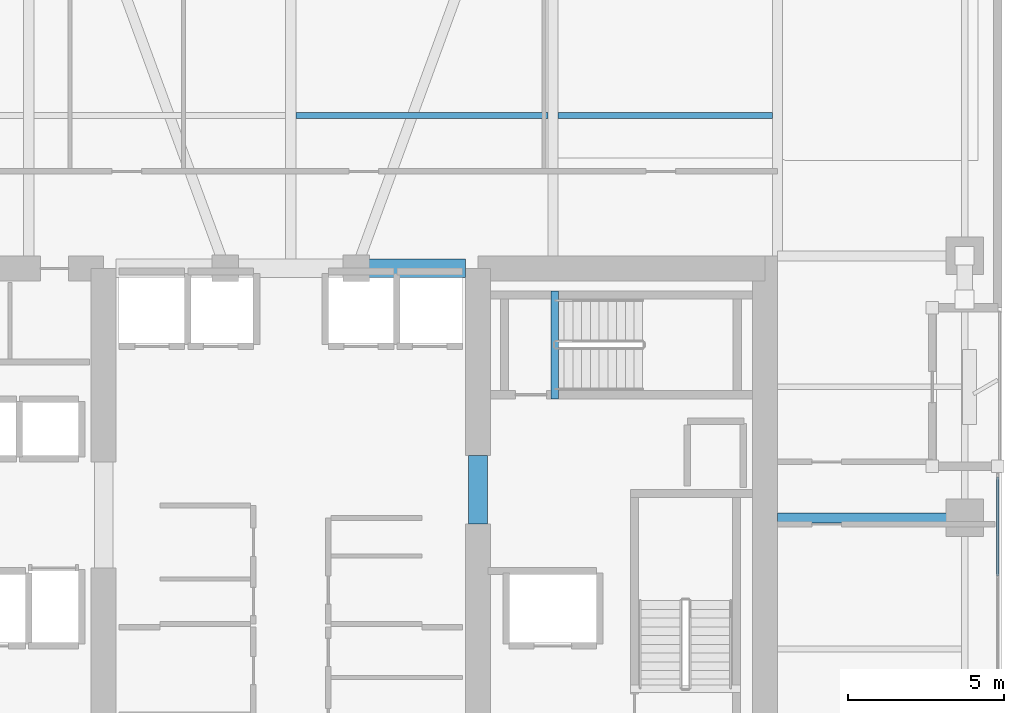
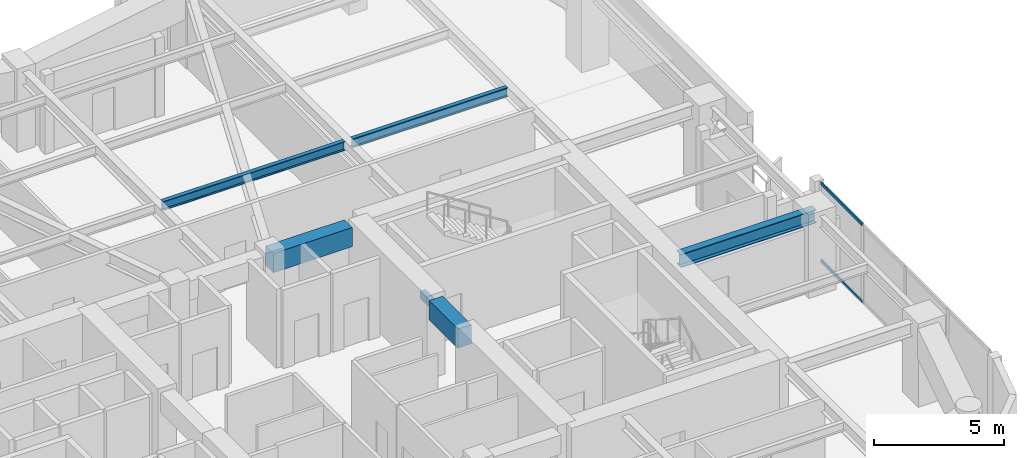
# One storey, part 10 of 30: 6 beams, 2 members, 1 element without a shape of its own.
"""IFC4 building model written with IfcOpenShell, lengths in metres."""

from ifc_helpers import new_model, si_unit, direction, frame, origin, origin_2d, place, context, subcontext, project, spatial, rectangle, hollow_rectangle, i_section, extrude, material, layer, layer_set, material_profile, profile_set, type_object, element, aggregate, save


model = new_model("IFC4")

# Units and contexts
model_context = context("Model", 3, precision=1e-05, world=origin(), true_north=direction((0.0, 1.0)))
body_context = subcontext(model_context, "Body", "Model", "MODEL_VIEW")
ifc_project = project(units=[si_unit("LENGTHUNIT", "METRE"), si_unit("AREAUNIT", "SQUARE_METRE"), si_unit("VOLUMEUNIT", "CUBIC_METRE"), si_unit("PLANEANGLEUNIT", "RADIAN"), si_unit("MASSUNIT", "GRAM", prefix="KILO")], contexts=[model_context])

# Site, building, storey
site_placement = place(None, origin())
site = spatial("IfcSite", under=ifc_project, at=site_placement, CompositionType="ELEMENT")
building_placement = place(site_placement, origin())
building = spatial("IfcBuilding", under=site, at=building_placement, Name="Kiyonajd Concourse Tower", CompositionType="ELEMENT")
storey_placement = place(building_placement, frame((0.0, 0.0, 162.300048828125)))
storey = spatial("IfcBuildingStorey", under=building, at=storey_placement, Name="L41", CompositionType="ELEMENT", Elevation=162.300048828125)

# Beams
ifc_material_1 = material(Name="Concrete C60/75", Category="concrete")
ifc_material_profile_1 = material_profile(ifc_material_1, rectangle(XDim=0.60009765625, YDim=0.89990234375, at=origin_2d()), Name="RCBM-600x900")
ifc_profile_set_1 = profile_set([ifc_material_profile_1], Name="Concrete C60/75")
beam_type_1 = type_object("IfcBeamType", Name="BM-COUP-900", PredefinedType="LINTEL", material=ifc_profile_set_1)
beam_1_placement = place(storey_placement, frame((50.10009765625, 44.0, 3.22998046875), z_axis=(1.0, 0.0, 0.0), x_axis=(0.0, 1.0, 0.0)))
element("IfcBeam", 1, at=beam_1_placement, inside=storey, type_object=beam_type_1, Name="L41 Core Coupling Beam N3", PredefinedType="LINTEL", context=body_context, shape_type="SweptSolid", body=[
    extrude(rectangle(XDim=0.60009765625, YDim=0.89990234375, at=origin_2d()), origin(), (0.0, 0.0, 1.0), 3.5),
])
beam_2_placement = place(storey_placement, frame((54.0, 35.800048828125, 3.22998046875), z_axis=(0.0, 1.0, 0.0), x_axis=(-1.0, 0.0, 0.0)))
element("IfcBeam", 2, at=beam_2_placement, inside=storey, type_object=beam_type_1, Name="L41 East Core Throat Coupling Lintel", PredefinedType="LINTEL", context=body_context, shape_type="SweptSolid", body=[
    extrude(rectangle(XDim=0.60009765625, YDim=0.89990234375, at=origin_2d()), origin(), (0.0, 0.0, 1.0), 2.199951171875),
])
ifc_material_2 = material(Name="Steel ASTM A992 Grade 50", Category="steel")
ifc_material_profile_2 = material_profile(ifc_material_2, i_section(OverallWidth=0.180908203125, OverallDepth=0.4169921875, WebThickness=0.010986328125, FlangeThickness=0.018310546875, at=origin_2d()), Name="W410X85")
ifc_profile_set_2 = profile_set([ifc_material_profile_2], Name="Steel ASTM A992 Grade 50")
beam_type_2 = type_object("IfcBeamType", Name="BM-JST-410", PredefinedType="JOIST", material=ifc_profile_set_2)
beam_3_placement = place(storey_placement, frame((48.16357421875, 48.89990234375, 3.471435546875), z_axis=(1.0, 0.0, 0.0), x_axis=(0.0, 1.0, 0.0)))
element("IfcBeam", 3, at=beam_3_placement, inside=storey, type_object=beam_type_2, Name="L41 Secondary Floor Joist", PredefinedType="JOIST", context=body_context, shape_type="SweptSolid", body=[
    extrude(i_section(OverallWidth=0.180908203125, OverallDepth=0.4169921875, WebThickness=0.010986328125, FlangeThickness=0.018310546875, at=origin_2d()), origin(), (0.0, 0.0, 1.0), 8.072998046875),
])
beam_4_placement = place(storey_placement, frame((56.5634765625, 48.89990234375, 3.471435546875), z_axis=(1.0, 0.0, 0.0), x_axis=(0.0, 1.0, 0.0)))
element("IfcBeam", 4, at=beam_4_placement, inside=storey, type_object=beam_type_2, Name="L41 Secondary Floor Joist", PredefinedType="JOIST", context=body_context, shape_type="SweptSolid", body=[
    extrude(i_section(OverallWidth=0.180908203125, OverallDepth=0.4169921875, WebThickness=0.010986328125, FlangeThickness=0.018310546875, at=origin_2d()), origin(), (0.0, 0.0, 1.0), 6.873046875),
])
ifc_material_3 = material(Name="Concrete C50/60", Category="concrete")
ifc_material_profile_3 = material_profile(ifc_material_3, rectangle(XDim=0.239990234375, YDim=0.320068359375, at=origin_2d()), Name="RCBM-240x320")
ifc_profile_set_3 = profile_set([ifc_material_profile_3], Name="Concrete C50/60")
beam_type_3 = type_object("IfcBeamType", Name="BM-LNT-250", PredefinedType="LINTEL", material=ifc_profile_set_3)
beam_5_placement = place(storey_placement, frame((56.4599609375, 39.820068359375, -0.16015625), z_axis=(0.0, 1.0, 0.0), x_axis=(-1.0, 0.0, 0.0)))
element("IfcBeam", 5, at=beam_5_placement, inside=storey, type_object=beam_type_3, Name="L41 Stair ST3 Threshold Support Beam", PredefinedType="LINTEL", context=body_context, shape_type="SweptSolid", body=[
    extrude(rectangle(XDim=0.239990234375, YDim=0.320068359375, at=origin_2d()), origin(), (0.0, 0.0, 1.0), 3.4599609375),
])
ifc_material_profile_4 = material_profile(ifc_material_2, i_section(OverallWidth=0.326904296875, OverallDepth=0.6220703125, WebThickness=0.015380859375, FlangeThickness=0.0244140625, at=origin_2d()), Name="W610X195")
ifc_profile_set_4 = profile_set([ifc_material_profile_4], Name="Steel ASTM A992 Grade 50")
beam_type_4 = type_object("IfcBeamType", Name="BM-TWR-610A", PredefinedType="BEAM", material=ifc_profile_set_4)
beam_6_placement = place(storey_placement, frame((63.60009765625, 36.0, 3.368896484375), z_axis=(1.0, 0.0, 0.0), x_axis=(0.0, 1.0, 0.0)))
element("IfcBeam", 6, at=beam_6_placement, inside=storey, type_object=beam_type_4, Name="L41 East Lease Girder", PredefinedType="BEAM", context=body_context, shape_type="SweptSolid", body=[
    extrude(i_section(OverallWidth=0.326904296875, OverallDepth=0.6220703125, WebThickness=0.015380859375, FlangeThickness=0.0244140625, at=origin_2d()), origin(), (0.0, 0.0, 1.0), 6.0),
])

# Curtain wall, members
ifc_material_4 = material(Name="Thermally Broken Anodised Aluminium", Category="aluminium")
ifc_layer = layer(ifc_material_4, 0.179931640625)
ifc_layer_set = layer_set([ifc_layer], Name="Thermally Broken Anodised Aluminium")
curtain_wall_type = type_object("IfcCurtainWallType", Name="CW-SYS-03", PredefinedType="NOTDEFINED", material=ifc_layer_set)
curtain_wall_placement = place(storey_placement, origin())
curtain_wall = element("IfcCurtainWall", 7, at=curtain_wall_placement, inside=storey, type_object=curtain_wall_type, Name="L41 Unitised Curtain Wall CW3", PredefinedType="NOTDEFINED")
ifc_material_profile_5 = material_profile(ifc_material_4, hollow_rectangle(XDim=0.06494140625, YDim=0.139892578125, WallThickness=0.00390625, at=origin_2d()), Name="TRAN-65x140")
ifc_profile_set_5 = profile_set([ifc_material_profile_5], Name="Thermally Broken Anodised Aluminium")
member_type = type_object("IfcMemberType", Name="MB-CW-TRAN1", PredefinedType="USERDEFINED", material=ifc_profile_set_5)
member_1_placement = place(storey_placement, frame((70.659912109375, 37.304931640625, 0.032470703125), z_axis=(0.0, -1.0, 0.0), x_axis=(1.0, 0.0, 0.0)))
member_1 = element("IfcMember", 8, at=member_1_placement, type_object=member_type, Name="CW3 transom 1.1", ObjectType="TRANSOM", PredefinedType="USERDEFINED", context=body_context, shape_type="SweptSolid", body=[
    extrude(hollow_rectangle(XDim=0.06494140625, YDim=0.139892578125, WallThickness=0.00390625, at=origin_2d()), origin(), (0.0, 0.0, 1.0), 3.167724609375),
])
member_2_placement = place(storey_placement, frame((70.659912109375, 37.304931640625, 3.6474609375), z_axis=(0.0, -1.0, 0.0), x_axis=(1.0, 0.0, 0.0)))
member_2 = element("IfcMember", 9, at=member_2_placement, type_object=member_type, Name="CW3 transom 1.2", ObjectType="TRANSOM", PredefinedType="USERDEFINED", context=body_context, shape_type="SweptSolid", body=[
    extrude(hollow_rectangle(XDim=0.06494140625, YDim=0.139892578125, WallThickness=0.00390625, at=origin_2d()), origin(), (0.0, 0.0, 1.0), 3.167724609375),
])
aggregate(curtain_wall, [member_1, member_2])

save(model, "model.ifc")
